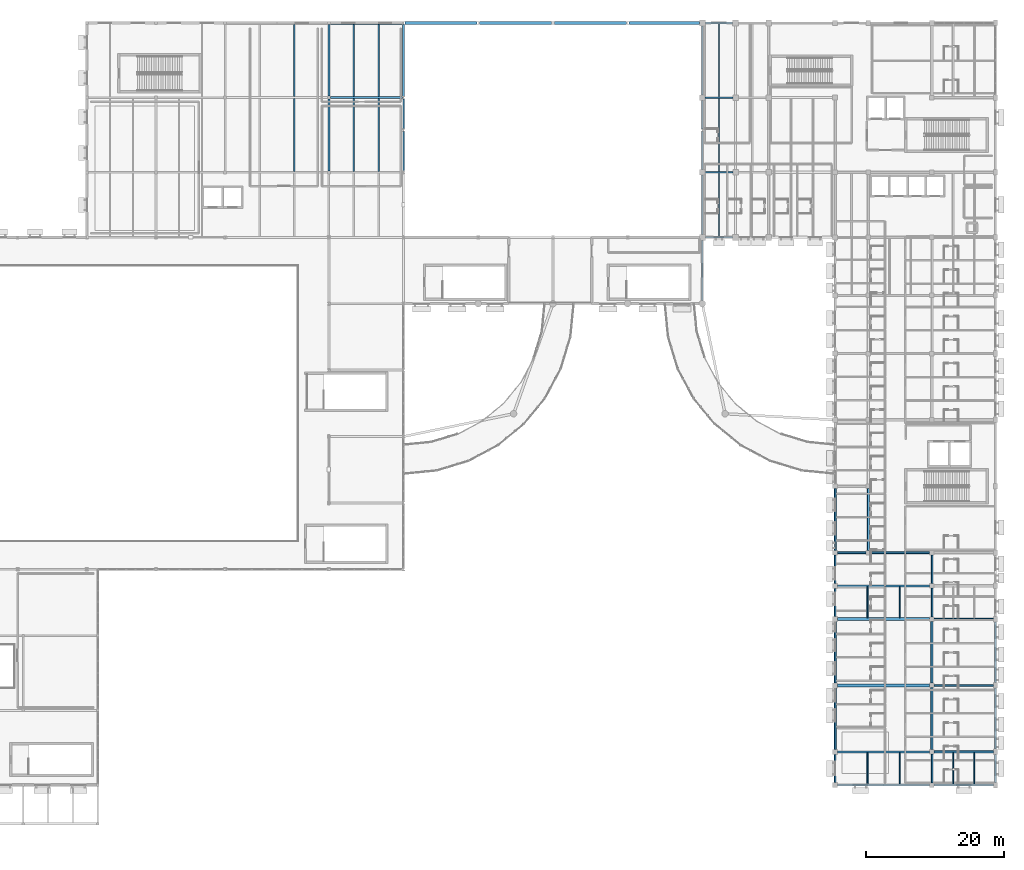
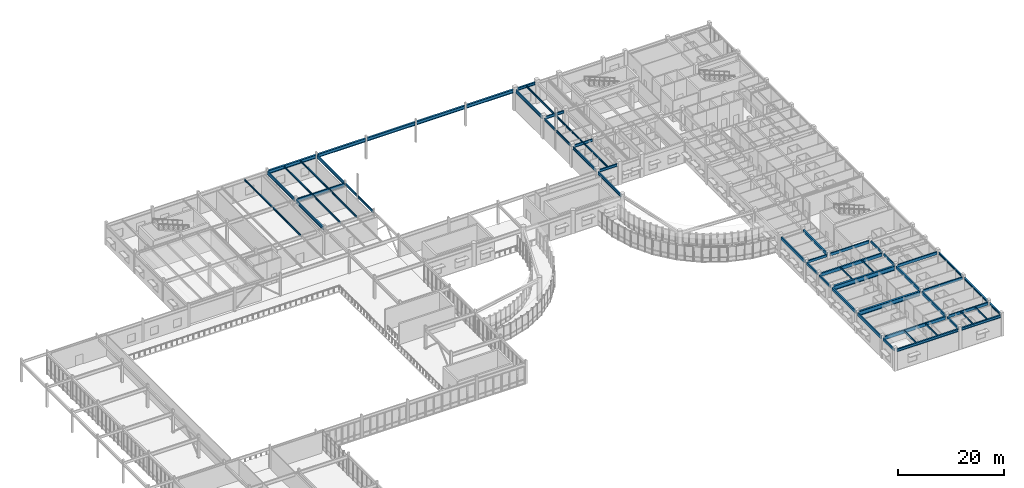
# One storey, part 28 of 68: 61 beams.
"""IFC4 building model written with IfcOpenShell, lengths in metres."""

from ifc_helpers import new_model, si_unit, direction, frame, origin, origin_2d, place, context, subcontext, project, spatial, rectangle, i_section, extrude, material, material_profile, profile_set, type_object, element, save


model = new_model("IFC4")

# Units and contexts
model_context = context("Model", 3, precision=1e-05, world=origin(), true_north=direction((0.0, 1.0)))
body_context = subcontext(model_context, "Body", "Model", "MODEL_VIEW")
ifc_project = project(units=[si_unit("LENGTHUNIT", "METRE"), si_unit("AREAUNIT", "SQUARE_METRE"), si_unit("VOLUMEUNIT", "CUBIC_METRE"), si_unit("PLANEANGLEUNIT", "RADIAN"), si_unit("MASSUNIT", "GRAM", prefix="KILO")], contexts=[model_context])

# Site, building, storey
site_placement = place(None, origin())
site = spatial("IfcSite", under=ifc_project, at=site_placement, CompositionType="ELEMENT")
building_placement = place(site_placement, origin())
building = spatial("IfcBuilding", under=site, at=building_placement, Name="Veldera Park Congress Hotel", CompositionType="ELEMENT")
storey_placement = place(building_placement, frame((0.0, 0.0, 10.800048828125)))
storey = spatial("IfcBuildingStorey", under=building, at=storey_placement, Name="L02", CompositionType="ELEMENT", Elevation=10.800048828125)

# Beams
ifc_material_1 = material(Name="Glulam GL28h (NDS 24F-V4)", Category="wood")
ifc_material_profile_1 = material_profile(ifc_material_1, rectangle(XDim=0.239990234375, YDim=0.5400390625, at=origin_2d()), Name="GL28h 240x540")
ifc_profile_set_1 = profile_set([ifc_material_profile_1], Name="Glulam GL28h (NDS 24F-V4)")
beam_type_1 = type_object("IfcBeamType", Name="BM-GL540", PredefinedType="BEAM", material=ifc_profile_set_1)
beam_1_placement = place(storey_placement, frame((61.14990234375, -18.60009765625, 4.530029296875), z_axis=(1.0, 0.0, 0.0), x_axis=(0.0, 1.0, 0.0)))
element("IfcBeam", 1, at=beam_1_placement, inside=storey, type_object=beam_type_1, Name="L02 Girder BM-GL540 846", PredefinedType="BEAM", context=body_context, shape_type="SweptSolid", body=[
    extrude(rectangle(XDim=0.239990234375, YDim=0.5400390625, at=origin_2d()), origin(), (0.0, 0.0, 1.0), 4.125),
])
for number, where, z_axis, x_axis, name in (
    (2, (60.800048828125, -51.85009765625, 4.530029296875), (0.0, 1.0, 0.0), (-1.0, 0.0, 0.0), "L02 Girder BM-GL540 987"),
    (3, (60.800048828125, -27.85009765625, 4.530029296875), (0.0, 1.0, 0.0), (-1.0, 0.0, 0.0), "L02 Girder BM-GL540 990"),
    (4, (60.800048828125, -23.050048828125, 4.530029296875), (0.0, 1.0, 0.0), (-1.0, 0.0, 0.0), "L02 Girder BM-GL540 991"),
):
    element("IfcBeam", number, at=place(storey_placement, frame(where, z_axis=z_axis, x_axis=x_axis)), inside=storey, type_object=beam_type_1, Name=name, PredefinedType="BEAM", context=body_context, shape_type="SweptSolid", body=[
        extrude(rectangle(XDim=0.239990234375, YDim=0.5400390625, at=origin_2d()), origin(), (0.0, 0.0, 1.0), 4.10009765625),
    ])
for number, where, z_axis, x_axis, name in (
    (5, (74.800048828125, -51.875, 4.530029296875), (0.0, 1.0, 0.0), (-1.0, 0.0, 0.0), "L02 Girder BM-GL540 1005"),
    (6, (74.800048828125, -27.875, 4.530029296875), (0.0, 1.0, 0.0), (-1.0, 0.0, 0.0), "L02 Girder BM-GL540 1008"),
    (7, (74.800048828125, -23.074951171875, 4.530029296875), (0.0, 1.0, 0.0), (-1.0, 0.0, 0.0), "L02 Girder BM-GL540 1009"),
):
    element("IfcBeam", number, at=place(storey_placement, frame(where, z_axis=z_axis, x_axis=x_axis)), inside=storey, type_object=beam_type_1, Name=name, PredefinedType="BEAM", context=body_context, shape_type="SweptSolid", body=[
        extrude(rectangle(XDim=0.239990234375, YDim=0.5400390625, at=origin_2d()), origin(), (0.0, 0.0, 1.0), 4.14990234375),
    ])
ifc_material_profile_2 = material_profile(ifc_material_1, rectangle(XDim=0.264892578125, YDim=0.6201171875, at=origin_2d()), Name="GL28h 265x620")
ifc_profile_set_2 = profile_set([ifc_material_profile_2], Name="Glulam GL28h (NDS 24F-V4)")
beam_type_2 = type_object("IfcBeamType", Name="BM-GL620", PredefinedType="BEAM", material=ifc_profile_set_2)
for number, where, z_axis, x_axis, name in (
    (8, (75.125, -47.39990234375, 4.489990234375), (1.0, 0.0, 0.0), (0.0, 1.0, 0.0), "L02 Girder BM-GL620 827"),
    (9, (75.125, -37.800048828125, 4.489990234375), (1.0, 0.0, 0.0), (0.0, 1.0, 0.0), "L02 Girder BM-GL620 831"),
    (10, (75.125, -28.199951171875, 4.489990234375), (1.0, 0.0, 0.0), (0.0, 1.0, 0.0), "L02 Girder BM-GL620 835"),
):
    element("IfcBeam", number, at=place(storey_placement, frame(where, z_axis=z_axis, x_axis=x_axis)), inside=storey, type_object=beam_type_2, Name=name, PredefinedType="BEAM", context=body_context, shape_type="SweptSolid", body=[
        extrude(rectangle(XDim=0.264892578125, YDim=0.6201171875, at=origin_2d()), origin(), (0.0, 0.0, 1.0), 8.60009765625),
    ])
beam_2_placement = place(storey_placement, frame((65.925048828125, -18.60009765625, 4.489990234375), z_axis=(1.0, 0.0, 0.0), x_axis=(0.0, 1.0, 0.0)))
element("IfcBeam", 11, at=beam_2_placement, inside=storey, type_object=beam_type_2, Name="L02 Girder BM-GL620 847", PredefinedType="BEAM", context=body_context, shape_type="SweptSolid", body=[
    extrude(rectangle(XDim=0.264892578125, YDim=0.6201171875, at=origin_2d()), origin(), (0.0, 0.0, 1.0), 8.550048828125),
])
ifc_material_profile_3 = material_profile(ifc_material_1, rectangle(XDim=0.280029296875, YDim=0.639892578125, at=origin_2d()), Name="GL28h 280x640")
ifc_profile_set_3 = profile_set([ifc_material_profile_3], Name="Glulam GL28h (NDS 24F-V4)")
beam_type_3 = type_object("IfcBeamType", Name="BM-GL640", PredefinedType="BEAM", material=ifc_profile_set_3)
beam_3_placement = place(storey_placement, frame((60.800048828125, -47.050048828125, 4.47998046875), z_axis=(0.0, 1.0, 0.0), x_axis=(-1.0, 0.0, 0.0)))
element("IfcBeam", 12, at=beam_3_placement, inside=storey, type_object=beam_type_3, Name="L02 Girder BM-GL640 988", PredefinedType="BEAM", context=body_context, shape_type="SweptSolid", body=[
    extrude(rectangle(XDim=0.280029296875, YDim=0.639892578125, at=origin_2d()), origin(), (0.0, 0.0, 1.0), 8.900146484375),
])
for number, where, z_axis, x_axis, name in (
    (13, (60.800048828125, -37.449951171875, 4.47998046875), (0.0, 1.0, 0.0), (-1.0, 0.0, 0.0), "L02 Girder BM-GL640 989"),
    (14, (60.800048828125, -18.25, 4.47998046875), (0.0, 1.0, 0.0), (-1.0, 0.0, 0.0), "L02 Girder BM-GL640 992"),
):
    element("IfcBeam", number, at=place(storey_placement, frame(where, z_axis=z_axis, x_axis=x_axis)), inside=storey, type_object=beam_type_3, Name=name, PredefinedType="BEAM", context=body_context, shape_type="SweptSolid", body=[
        extrude(rectangle(XDim=0.280029296875, YDim=0.639892578125, at=origin_2d()), origin(), (0.0, 0.0, 1.0), 8.89990234375),
    ])
for number, where, z_axis, x_axis, name in (
    (15, (65.60009765625, -18.27490234375, 4.47998046875), (0.0, 1.0, 0.0), (-1.0, 0.0, 0.0), "L02 Girder BM-GL640 999"),
    (16, (74.800048828125, -47.074951171875, 4.47998046875), (0.0, 1.0, 0.0), (-1.0, 0.0, 0.0), "L02 Girder BM-GL640 1006"),
):
    element("IfcBeam", number, at=place(storey_placement, frame(where, z_axis=z_axis, x_axis=x_axis)), inside=storey, type_object=beam_type_3, Name=name, PredefinedType="BEAM", context=body_context, shape_type="SweptSolid", body=[
        extrude(rectangle(XDim=0.280029296875, YDim=0.639892578125, at=origin_2d()), origin(), (0.0, 0.0, 1.0), 8.949951171875),
    ])
beam_4_placement = place(storey_placement, frame((74.800048828125, -37.47509765625, 4.47998046875), z_axis=(0.0, 1.0, 0.0), x_axis=(-1.0, 0.0, 0.0)))
element("IfcBeam", 17, at=beam_4_placement, inside=storey, type_object=beam_type_3, Name="L02 Girder BM-GL640 1007", PredefinedType="BEAM", context=body_context, shape_type="SweptSolid", body=[
    extrude(rectangle(XDim=0.280029296875, YDim=0.639892578125, at=origin_2d()), origin(), (0.0, 0.0, 1.0), 8.9501953125),
])
ifc_material_profile_4 = material_profile(ifc_material_1, rectangle(XDim=0.31494140625, YDim=0.719970703125, at=origin_2d()), Name="GL28h 315x720")
ifc_profile_set_4 = profile_set([ifc_material_profile_4], Name="Glulam GL28h (NDS 24F-V4)")
beam_type_4 = type_object("IfcBeamType", Name="BM-GL720", PredefinedType="BEAM", material=ifc_profile_set_4)
for number, where, z_axis, x_axis, name in (
    (18, (61.14990234375, -47.39990234375, 4.43994140625), (1.0, 0.0, 0.0), (0.0, 1.0, 0.0), "L02 Girder BM-GL720 826"),
    (19, (61.14990234375, -23.39990234375, 4.43994140625), (1.0, 0.0, 0.0), (0.0, 1.0, 0.0), "L02 Girder BM-GL720 836"),
):
    element("IfcBeam", number, at=place(storey_placement, frame(where, z_axis=z_axis, x_axis=x_axis)), inside=storey, type_object=beam_type_4, Name=name, PredefinedType="BEAM", context=body_context, shape_type="SweptSolid", body=[
        extrude(rectangle(XDim=0.31494140625, YDim=0.719970703125, at=origin_2d()), origin(), (0.0, 0.0, 1.0), 13.3251953125),
    ])
ifc_material_2 = material(Name="Steel ASTM A992 Gr.50", Category="steel")
ifc_material_profile_5 = material_profile(ifc_material_2, i_section(OverallWidth=0.404052734375, OverallDepth=1.02001953125, WebThickness=0.025390625, FlangeThickness=0.04443359375, at=origin_2d()), Name="W40X324")
ifc_profile_set_5 = profile_set([ifc_material_profile_5], Name="Steel ASTM A992 Gr.50")
beam_type_5 = type_object("IfcBeamType", Name="BM-TR324", PredefinedType="BEAM", material=ifc_profile_set_5)
for number, where, z_axis, x_axis, name in (
    (20, (61.14990234375, -37.800048828125, 4.2900390625), (1.0, 0.0, 0.0), (0.0, 1.0, 0.0), "Hotel Podium Transfer Girder TG-01"),
    (21, (61.14990234375, -28.199951171875, 4.2900390625), (1.0, 0.0, 0.0), (0.0, 1.0, 0.0), "Hotel Podium Transfer Girder TG-02"),
):
    element("IfcBeam", number, at=place(storey_placement, frame(where, z_axis=z_axis, x_axis=x_axis)), inside=storey, type_object=beam_type_5, Name=name, PredefinedType="BEAM", context=body_context, shape_type="SweptSolid", body=[
        extrude(i_section(OverallWidth=0.404052734375, OverallDepth=1.02001953125, WebThickness=0.025390625, FlangeThickness=0.04443359375, at=origin_2d()), origin(), (0.0, 0.0, 1.0), 13.3251953125),
    ])
ifc_material_profile_6 = material_profile(ifc_material_2, i_section(OverallWidth=0.2119140625, OverallDepth=0.5439453125, WebThickness=0.01318359375, FlangeThickness=0.021240234375, at=origin_2d()), Name="W21X83")
ifc_profile_set_6 = profile_set([ifc_material_profile_6], Name="Steel ASTM A992 Gr.50")
beam_type_6 = type_object("IfcBeamType", Name="BM-W21C", PredefinedType="BEAM", material=ifc_profile_set_6)
beam_5_placement = place(storey_placement, frame((-1.60009765625, 36.5859375, 4.52783203125), z_axis=(0.0, 1.0, 0.0), x_axis=(-1.0, 0.0, 0.0)))
element("IfcBeam", 22, at=beam_5_placement, inside=storey, type_object=beam_type_6, Name="L02 Girder BM-W21C 972", PredefinedType="BEAM", context=body_context, shape_type="SweptSolid", body=[
    extrude(i_section(OverallWidth=0.2119140625, OverallDepth=0.5439453125, WebThickness=0.01318359375, FlangeThickness=0.021240234375, at=origin_2d()), origin(), (0.0, 0.0, 1.0), 5.72802734375),
])
beam_6_placement = place(storey_placement, frame((-1.60009765625, 42.68603515625, 4.52783203125), z_axis=(0.0, 1.0, 0.0), x_axis=(-1.0, 0.0, 0.0)))
element("IfcBeam", 23, at=beam_6_placement, inside=storey, type_object=beam_type_6, Name="L02 Girder BM-W21C 973", PredefinedType="BEAM", context=body_context, shape_type="SweptSolid", body=[
    extrude(i_section(OverallWidth=0.2119140625, OverallDepth=0.5439453125, WebThickness=0.01318359375, FlangeThickness=0.021240234375, at=origin_2d()), origin(), (0.0, 0.0, 1.0), 4.327880859375),
])
beam_7_placement = place(storey_placement, frame((41.60009765625, 36.800048828125, 4.52783203125), z_axis=(0.0, 1.0, 0.0), x_axis=(-1.0, 0.0, 0.0)))
element("IfcBeam", 24, at=beam_7_placement, inside=storey, type_object=beam_type_6, Name="L02 Girder BM-W21C 978", PredefinedType="BEAM", context=body_context, shape_type="SweptSolid", body=[
    extrude(i_section(OverallWidth=0.2119140625, OverallDepth=0.5439453125, WebThickness=0.01318359375, FlangeThickness=0.021240234375, at=origin_2d()), origin(), (0.0, 0.0, 1.0), 5.513916015625),
])
beam_8_placement = place(storey_placement, frame((41.60009765625, 42.68603515625, 4.52783203125), z_axis=(0.0, 1.0, 0.0), x_axis=(-1.0, 0.0, 0.0)))
element("IfcBeam", 25, at=beam_8_placement, inside=storey, type_object=beam_type_6, Name="L02 Girder BM-W21C 979", PredefinedType="BEAM", context=body_context, shape_type="SweptSolid", body=[
    extrude(i_section(OverallWidth=0.2119140625, OverallDepth=0.5439453125, WebThickness=0.01318359375, FlangeThickness=0.021240234375, at=origin_2d()), origin(), (0.0, 0.0, 1.0), 4.114013671875),
])
ifc_material_profile_7 = material_profile(ifc_material_2, i_section(OverallWidth=0.22900390625, OverallDepth=0.612060546875, WebThickness=0.011962890625, FlangeThickness=0.01953125, at=origin_2d()), Name="W24X84")
ifc_profile_set_7 = profile_set([ifc_material_profile_7], Name="Steel ASTM A992 Gr.50")
beam_type_7 = type_object("IfcBeamType", Name="BM-W24", PredefinedType="BEAM", material=ifc_profile_set_7)
beam_9_placement = place(storey_placement, frame((42.02490234375, 27.0, 4.493896484375), z_axis=(1.0, 0.0, 0.0), x_axis=(0.0, 1.0, 0.0)))
element("IfcBeam", 26, at=beam_9_placement, inside=storey, type_object=beam_type_7, Name="L02 Girder BM-W24 887", PredefinedType="BEAM", context=body_context, shape_type="SweptSolid", body=[
    extrude(i_section(OverallWidth=0.22900390625, OverallDepth=0.612060546875, WebThickness=0.011962890625, FlangeThickness=0.01953125, at=origin_2d()), origin(), (0.0, 0.0, 1.0), 3.9501953125),
])
for number, where, z_axis, x_axis, name in (
    (27, (42.0, 36.39990234375, 4.493896484375), (1.0, 0.0, 0.0), (0.0, 1.0, 0.0), "L02 Girder BM-W24 897"),
    (28, (42.0, 47.199951171875, 4.493896484375), (1.0, 0.0, 0.0), (0.0, 1.0, 0.0), "L02 Girder BM-W24 907"),
):
    element("IfcBeam", number, at=place(storey_placement, frame(where, z_axis=z_axis, x_axis=x_axis)), inside=storey, type_object=beam_type_7, Name=name, PredefinedType="BEAM", context=body_context, shape_type="SweptSolid", body=[
        extrude(i_section(OverallWidth=0.22900390625, OverallDepth=0.612060546875, WebThickness=0.011962890625, FlangeThickness=0.01953125, at=origin_2d()), origin(), (0.0, 0.0, 1.0), 4.0),
    ])
ifc_material_profile_8 = material_profile(ifc_material_2, i_section(OverallWidth=0.22998046875, OverallDepth=0.616943359375, WebThickness=0.01318359375, FlangeThickness=0.022216796875, at=origin_2d()), Name="W24X94")
ifc_profile_set_8 = profile_set([ifc_material_profile_8], Name="Steel ASTM A992 Gr.50")
beam_type_8 = type_object("IfcBeamType", Name="BM-W24B", PredefinedType="BEAM", material=ifc_profile_set_8)
beam_10_placement = place(storey_placement, frame((41.60009765625, 27.425048828125, 4.491455078125), z_axis=(0.0, 1.0, 0.0), x_axis=(-1.0, 0.0, 0.0)))
element("IfcBeam", 29, at=beam_10_placement, inside=storey, type_object=beam_type_8, Name="L02 Girder BM-W24B 977", PredefinedType="BEAM", context=body_context, shape_type="SweptSolid", body=[
    extrude(i_section(OverallWidth=0.22998046875, OverallDepth=0.616943359375, WebThickness=0.01318359375, FlangeThickness=0.022216796875, at=origin_2d()), origin(), (0.0, 0.0, 1.0), 8.574951171875),
])
ifc_material_profile_9 = material_profile(ifc_material_2, i_section(OverallWidth=0.323974609375, OverallDepth=0.612060546875, WebThickness=0.0126953125, FlangeThickness=0.01904296875, at=origin_2d()), Name="W24X104")
ifc_profile_set_9 = profile_set([ifc_material_profile_9], Name="Steel ASTM A992 Gr.50")
beam_type_9 = type_object("IfcBeamType", Name="BM-W24E", PredefinedType="BEAM", material=ifc_profile_set_9)
beam_11_placement = place(storey_placement, frame((42.02490234375, 58.0, 4.493896484375), z_axis=(1.0, 0.0, 0.0), x_axis=(0.0, 1.0, 0.0)))
element("IfcBeam", 30, at=beam_11_placement, inside=storey, type_object=beam_type_9, Name="L02 Girder BM-W24E 919", PredefinedType="BEAM", context=body_context, shape_type="SweptSolid", body=[
    extrude(i_section(OverallWidth=0.323974609375, OverallDepth=0.612060546875, WebThickness=0.0126953125, FlangeThickness=0.01904296875, at=origin_2d()), origin(), (0.0, 0.0, 1.0), 3.9501953125),
])
ifc_material_profile_10 = material_profile(ifc_material_2, i_section(OverallWidth=0.256103515625, OverallDepth=0.693115234375, WebThickness=0.014404296875, FlangeThickness=0.023681640625, at=origin_2d()), Name="W27X114")
ifc_profile_set_10 = profile_set([ifc_material_profile_10], Name="Steel ASTM A992 Gr.50")
beam_type_10 = type_object("IfcBeamType", Name="BM-W27", PredefinedType="BEAM", material=ifc_profile_set_10)
beam_12_placement = place(storey_placement, frame((-12.39990234375, 36.625, 4.453369140625), z_axis=(0.0, 1.0, 0.0), x_axis=(-1.0, 0.0, 0.0)))
element("IfcBeam", 31, at=beam_12_placement, inside=storey, type_object=beam_type_10, Name="L02 Girder BM-W27 964", PredefinedType="BEAM", context=body_context, shape_type="SweptSolid", body=[
    extrude(i_section(OverallWidth=0.256103515625, OverallDepth=0.693115234375, WebThickness=0.014404296875, FlangeThickness=0.023681640625, at=origin_2d()), origin(), (0.0, 0.0, 1.0), 10.35009765625),
])
beam_13_placement = place(storey_placement, frame((-12.39990234375, 47.425048828125, 4.453369140625), z_axis=(0.0, 1.0, 0.0), x_axis=(-1.0, 0.0, 0.0)))
element("IfcBeam", 32, at=beam_13_placement, inside=storey, type_object=beam_type_10, Name="L02 Girder BM-W27 965", PredefinedType="BEAM", context=body_context, shape_type="SweptSolid", body=[
    extrude(i_section(OverallWidth=0.256103515625, OverallDepth=0.693115234375, WebThickness=0.014404296875, FlangeThickness=0.023681640625, at=origin_2d()), origin(), (0.0, 0.0, 1.0), 10.349853515625),
])
beam_14_placement = place(storey_placement, frame((-1.60009765625, 47.385986328125, 4.453369140625), z_axis=(0.0, 1.0, 0.0), x_axis=(-1.0, 0.0, 0.0)))
element("IfcBeam", 33, at=beam_14_placement, inside=storey, type_object=beam_type_10, Name="L02 Girder BM-W27 974", PredefinedType="BEAM", context=body_context, shape_type="SweptSolid", body=[
    extrude(i_section(OverallWidth=0.256103515625, OverallDepth=0.693115234375, WebThickness=0.014404296875, FlangeThickness=0.023681640625, at=origin_2d()), origin(), (0.0, 0.0, 1.0), 10.41748046875),
])
beam_15_placement = place(storey_placement, frame((41.60009765625, 17.875, 4.453369140625), z_axis=(0.0, 1.0, 0.0), x_axis=(-1.0, 0.0, 0.0)))
element("IfcBeam", 34, at=beam_15_placement, inside=storey, type_object=beam_type_10, Name="L02 Girder BM-W27 976", PredefinedType="BEAM", context=body_context, shape_type="SweptSolid", body=[
    extrude(i_section(OverallWidth=0.256103515625, OverallDepth=0.693115234375, WebThickness=0.014404296875, FlangeThickness=0.023681640625, at=origin_2d()), origin(), (0.0, 0.0, 1.0), 8.699951171875),
])
beam_16_placement = place(storey_placement, frame((41.60009765625, 47.60009765625, 4.453369140625), z_axis=(0.0, 1.0, 0.0), x_axis=(-1.0, 0.0, 0.0)))
element("IfcBeam", 35, at=beam_16_placement, inside=storey, type_object=beam_type_10, Name="L02 Girder BM-W27 980", PredefinedType="BEAM", context=body_context, shape_type="SweptSolid", body=[
    extrude(i_section(OverallWidth=0.256103515625, OverallDepth=0.693115234375, WebThickness=0.014404296875, FlangeThickness=0.023681640625, at=origin_2d()), origin(), (0.0, 0.0, 1.0), 9.974853515625),
])
ifc_material_profile_11 = material_profile(ifc_material_2, i_section(OverallWidth=0.26708984375, OverallDepth=0.779052734375, WebThickness=0.0166015625, FlangeThickness=0.030029296875, at=origin_2d()), Name="W30X148")
ifc_profile_set_11 = profile_set([ifc_material_profile_11], Name="Steel ASTM A992 Gr.50")
beam_type_11 = type_object("IfcBeamType", Name="BM-W30", PredefinedType="BEAM", material=ifc_profile_set_11)
beam_17_placement = place(storey_placement, frame((-12.175048828125, 47.199951171875, 4.410400390625), z_axis=(1.0, 0.0, 0.0), x_axis=(0.0, 1.0, 0.0)))
element("IfcBeam", 36, at=beam_17_placement, inside=storey, type_object=beam_type_11, Name="L02 Girder BM-W30 906", PredefinedType="BEAM", context=body_context, shape_type="SweptSolid", body=[
    extrude(i_section(OverallWidth=0.26708984375, OverallDepth=0.779052734375, WebThickness=0.0166015625, FlangeThickness=0.030029296875, at=origin_2d()), origin(), (0.0, 0.0, 1.0), 10.387939453125),
])
ifc_material_profile_12 = material_profile(ifc_material_2, i_section(OverallWidth=0.382080078125, OverallDepth=0.779052734375, WebThickness=0.01806640625, FlangeThickness=0.030029296875, at=origin_2d()), Name="W30X191")
ifc_profile_set_12 = profile_set([ifc_material_profile_12], Name="Steel ASTM A992 Gr.50")
beam_type_12 = type_object("IfcBeamType", Name="BM-W30E", PredefinedType="BEAM", material=ifc_profile_set_12)
beam_18_placement = place(storey_placement, frame((-12.175048828125, 58.0, 4.410400390625), z_axis=(1.0, 0.0, 0.0), x_axis=(0.0, 1.0, 0.0)))
element("IfcBeam", 37, at=beam_18_placement, inside=storey, type_object=beam_type_12, Name="L02 Girder BM-W30E 914", PredefinedType="BEAM", context=body_context, shape_type="SweptSolid", body=[
    extrude(i_section(OverallWidth=0.382080078125, OverallDepth=0.779052734375, WebThickness=0.01806640625, FlangeThickness=0.030029296875, at=origin_2d()), origin(), (0.0, 0.0, 1.0), 10.37548828125),
])
beam_19_placement = place(storey_placement, frame((-1.400390625, 58.0, 4.410400390625), z_axis=(1.0, 0.0, 0.0), x_axis=(0.0, 1.0, 0.0)))
element("IfcBeam", 38, at=beam_19_placement, inside=storey, type_object=beam_type_12, Name="L02 Girder BM-W30E 915", PredefinedType="BEAM", context=body_context, shape_type="SweptSolid", body=[
    extrude(i_section(OverallWidth=0.382080078125, OverallDepth=0.779052734375, WebThickness=0.01806640625, FlangeThickness=0.030029296875, at=origin_2d()), origin(), (0.0, 0.0, 1.0), 10.40087890625),
])
for number, where, z_axis, x_axis, name in (
    (39, (9.3994140625, 58.0, 4.410400390625), (1.0, 0.0, 0.0), (0.0, 1.0, 0.0), "L02 Girder BM-W30E 916"),
    (40, (20.199462890625, 58.0, 4.410400390625), (1.0, 0.0, 0.0), (0.0, 1.0, 0.0), "L02 Girder BM-W30E 917"),
):
    element("IfcBeam", number, at=place(storey_placement, frame(where, z_axis=z_axis, x_axis=x_axis)), inside=storey, type_object=beam_type_12, Name=name, PredefinedType="BEAM", context=body_context, shape_type="SweptSolid", body=[
        extrude(i_section(OverallWidth=0.382080078125, OverallDepth=0.779052734375, WebThickness=0.01806640625, FlangeThickness=0.030029296875, at=origin_2d()), origin(), (0.0, 0.0, 1.0), 10.401123046875),
    ])
beam_20_placement = place(storey_placement, frame((30.99951171875, 58.0, 4.410400390625), z_axis=(1.0, 0.0, 0.0), x_axis=(0.0, 1.0, 0.0)))
element("IfcBeam", 41, at=beam_20_placement, inside=storey, type_object=beam_type_12, Name="L02 Girder BM-W30E 918", PredefinedType="BEAM", context=body_context, shape_type="SweptSolid", body=[
    extrude(i_section(OverallWidth=0.382080078125, OverallDepth=0.779052734375, WebThickness=0.01806640625, FlangeThickness=0.030029296875, at=origin_2d()), origin(), (0.0, 0.0, 1.0), 10.175537109375),
])
ifc_material_profile_13 = material_profile(ifc_material_1, rectangle(XDim=0.179931640625, YDim=0.360107421875, at=origin_2d()), Name="GL28h 180x360")
ifc_profile_set_13 = profile_set([ifc_material_profile_13], Name="Glulam GL28h (NDS 24F-V4)")
beam_type_13 = type_object("IfcBeamType", Name="JST-GL360", PredefinedType="JOIST", material=ifc_profile_set_13)
for number, where, z_axis, x_axis, name in (
    (42, (65.466796875, -52.0380859375, 4.619873046875), (0.0, 1.0, 0.0), (-1.0, 0.0, 0.0), "L02 Floor Joist JST-GL360 1033"),
    (43, (70.13330078125, -52.0380859375, 4.619873046875), (0.0, 1.0, 0.0), (-1.0, 0.0, 0.0), "L02 Floor Joist JST-GL360 1034"),
):
    element("IfcBeam", number, at=place(storey_placement, frame(where, z_axis=z_axis, x_axis=x_axis)), inside=storey, type_object=beam_type_13, Name=name, PredefinedType="JOIST", context=body_context, shape_type="SweptSolid", body=[
        extrude(rectangle(XDim=0.179931640625, YDim=0.360107421875, at=origin_2d()), origin(), (0.0, 0.0, 1.0), 4.48046875),
    ])
for number, where, z_axis, x_axis, name in (
    (44, (77.86669921875, -52.0380859375, 4.619873046875), (0.0, 1.0, 0.0), (-1.0, 0.0, 0.0), "L02 Floor Joist JST-GL360 1035"),
    (45, (80.933349609375, -52.0380859375, 4.619873046875), (0.0, 1.0, 0.0), (-1.0, 0.0, 0.0), "L02 Floor Joist JST-GL360 1036"),
):
    element("IfcBeam", number, at=place(storey_placement, frame(where, z_axis=z_axis, x_axis=x_axis)), inside=storey, type_object=beam_type_13, Name=name, PredefinedType="JOIST", context=body_context, shape_type="SweptSolid", body=[
        extrude(rectangle(XDim=0.179931640625, YDim=0.360107421875, at=origin_2d()), origin(), (0.0, 0.0, 1.0), 4.505615234375),
    ])
for number, where, z_axis, x_axis, name in (
    (46, (65.466796875, -27.998046875, 4.619873046875), (0.0, 1.0, 0.0), (-1.0, 0.0, 0.0), "L02 Floor Joist JST-GL360 1037"),
    (47, (70.13330078125, -27.998046875, 4.619873046875), (0.0, 1.0, 0.0), (-1.0, 0.0, 0.0), "L02 Floor Joist JST-GL360 1038"),
):
    element("IfcBeam", number, at=place(storey_placement, frame(where, z_axis=z_axis, x_axis=x_axis)), inside=storey, type_object=beam_type_13, Name=name, PredefinedType="JOIST", context=body_context, shape_type="SweptSolid", body=[
        extrude(rectangle(XDim=0.179931640625, YDim=0.360107421875, at=origin_2d()), origin(), (0.0, 0.0, 1.0), 4.4404296875),
    ])
ifc_material_profile_14 = material_profile(ifc_material_2, i_section(OverallWidth=0.178955078125, OverallDepth=0.409912109375, WebThickness=0.0087890625, FlangeThickness=0.014404296875, at=origin_2d()), Name="W16X45")
ifc_profile_set_14 = profile_set([ifc_material_profile_14], Name="Steel ASTM A992 Gr.50")
beam_type_14 = type_object("IfcBeamType", Name="JST-W16", PredefinedType="JOIST", material=ifc_profile_set_14)
beam_21_placement = place(storey_placement, frame((44.0, 27.114501953125, 4.594970703125), z_axis=(0.0, 1.0, 0.0), x_axis=(-1.0, 0.0, 0.0)))
element("IfcBeam", 48, at=beam_21_placement, inside=storey, type_object=beam_type_14, Name="L02 Floor Joist JST-W16 1054", PredefinedType="JOIST", context=body_context, shape_type="SweptSolid", body=[
    extrude(i_section(OverallWidth=0.178955078125, OverallDepth=0.409912109375, WebThickness=0.0087890625, FlangeThickness=0.014404296875, at=origin_2d()), origin(), (0.0, 0.0, 1.0), 9.1708984375),
])
ifc_material_profile_15 = material_profile(ifc_material_2, i_section(OverallWidth=0.180908203125, OverallDepth=0.4169921875, WebThickness=0.010986328125, FlangeThickness=0.018310546875, at=origin_2d()), Name="W16X57")
ifc_profile_set_15 = profile_set([ifc_material_profile_15], Name="Steel ASTM A992 Gr.50")
beam_type_15 = type_object("IfcBeamType", Name="JST-W16B", PredefinedType="JOIST", material=ifc_profile_set_15)
for number, where, z_axis, x_axis, name in (
    (49, (-17.39990234375, 36.533447265625, 4.591552734375), (0.0, 1.0, 0.0), (-1.0, 0.0, 0.0), "L02 Floor Joist JST-W16B 1066"),
    (50, (-8.800048828125, 36.533447265625, 4.591552734375), (0.0, 1.0, 0.0), (-1.0, 0.0, 0.0), "L02 Floor Joist JST-W16B 1067"),
    (51, (-5.199951171875, 36.533447265625, 4.591552734375), (0.0, 1.0, 0.0), (-1.0, 0.0, 0.0), "L02 Floor Joist JST-W16B 1068"),
):
    element("IfcBeam", number, at=place(storey_placement, frame(where, z_axis=z_axis, x_axis=x_axis)), inside=storey, type_object=beam_type_15, Name=name, PredefinedType="JOIST", context=body_context, shape_type="SweptSolid", body=[
        extrude(i_section(OverallWidth=0.180908203125, OverallDepth=0.4169921875, WebThickness=0.010986328125, FlangeThickness=0.018310546875, at=origin_2d()), origin(), (0.0, 0.0, 1.0), 10.532958984375),
    ])
beam_22_placement = place(storey_placement, frame((44.0, 36.514404296875, 4.591552734375), z_axis=(0.0, 1.0, 0.0), x_axis=(-1.0, 0.0, 0.0)))
element("IfcBeam", 52, at=beam_22_placement, inside=storey, type_object=beam_type_15, Name="L02 Floor Joist JST-W16B 1069", PredefinedType="JOIST", context=body_context, shape_type="SweptSolid", body=[
    extrude(i_section(OverallWidth=0.180908203125, OverallDepth=0.4169921875, WebThickness=0.010986328125, FlangeThickness=0.018310546875, at=origin_2d()), origin(), (0.0, 0.0, 1.0), 10.571044921875),
])
for number, where, z_axis, x_axis, name in (
    (53, (-17.39990234375, 47.33349609375, 4.591552734375), (0.0, 1.0, 0.0), (-1.0, 0.0, 0.0), "L02 Floor Joist JST-W16B 1076"),
    (54, (-8.800048828125, 47.33349609375, 4.591552734375), (0.0, 1.0, 0.0), (-1.0, 0.0, 0.0), "L02 Floor Joist JST-W16B 1077"),
    (55, (-5.199951171875, 47.33349609375, 4.591552734375), (0.0, 1.0, 0.0), (-1.0, 0.0, 0.0), "L02 Floor Joist JST-W16B 1078"),
):
    element("IfcBeam", number, at=place(storey_placement, frame(where, z_axis=z_axis, x_axis=x_axis)), inside=storey, type_object=beam_type_15, Name=name, PredefinedType="JOIST", context=body_context, shape_type="SweptSolid", body=[
        extrude(i_section(OverallWidth=0.180908203125, OverallDepth=0.4169921875, WebThickness=0.010986328125, FlangeThickness=0.018310546875, at=origin_2d()), origin(), (0.0, 0.0, 1.0), 10.4755859375),
    ])
beam_23_placement = place(storey_placement, frame((44.0, 47.314453125, 4.591552734375), z_axis=(0.0, 1.0, 0.0), x_axis=(-1.0, 0.0, 0.0)))
element("IfcBeam", 56, at=beam_23_placement, inside=storey, type_object=beam_type_15, Name="L02 Floor Joist JST-W16B 1079", PredefinedType="JOIST", context=body_context, shape_type="SweptSolid", body=[
    extrude(i_section(OverallWidth=0.180908203125, OverallDepth=0.4169921875, WebThickness=0.010986328125, FlangeThickness=0.018310546875, at=origin_2d()), origin(), (0.0, 0.0, 1.0), 10.5234375),
])
ifc_material_profile_16 = material_profile(ifc_material_2, i_section(OverallWidth=0.280029296875, OverallDepth=0.462890625, WebThickness=0.0107421875, FlangeThickness=0.017333984375, at=origin_2d()), Name="W18X76")
ifc_profile_set_16 = profile_set([ifc_material_profile_16], Name="Steel ASTM A992 Gr.50")
beam_type_16 = type_object("IfcBeamType", Name="SPN-W18E", PredefinedType="SPANDREL", material=ifc_profile_set_16)
beam_24_placement = place(storey_placement, frame((84.0, -51.800048828125, 4.568359375), z_axis=(0.0, 1.0, 0.0), x_axis=(-1.0, 0.0, 0.0)))
element("IfcBeam", 57, at=beam_24_placement, inside=storey, type_object=beam_type_16, Name="L02 Girder SPN-W18E 1014", PredefinedType="SPANDREL", context=body_context, shape_type="SweptSolid", body=[
    extrude(i_section(OverallWidth=0.280029296875, OverallDepth=0.462890625, WebThickness=0.0107421875, FlangeThickness=0.017333984375, at=origin_2d()), origin(), (0.0, 0.0, 1.0), 4.0),
])
beam_25_placement = place(storey_placement, frame((84.0, -47.0, 4.568359375), z_axis=(0.0, 1.0, 0.0), x_axis=(-1.0, 0.0, 0.0)))
element("IfcBeam", 58, at=beam_25_placement, inside=storey, type_object=beam_type_16, Name="L02 Girder SPN-W18E 1015", PredefinedType="SPANDREL", context=body_context, shape_type="SweptSolid", body=[
    extrude(i_section(OverallWidth=0.280029296875, OverallDepth=0.462890625, WebThickness=0.0107421875, FlangeThickness=0.017333984375, at=origin_2d()), origin(), (0.0, 0.0, 1.0), 8.800048828125),
])
beam_26_placement = place(storey_placement, frame((84.0, -37.39990234375, 4.568359375), z_axis=(0.0, 1.0, 0.0), x_axis=(-1.0, 0.0, 0.0)))
element("IfcBeam", 59, at=beam_26_placement, inside=storey, type_object=beam_type_16, Name="L02 Girder SPN-W18E 1016", PredefinedType="SPANDREL", context=body_context, shape_type="SweptSolid", body=[
    extrude(i_section(OverallWidth=0.280029296875, OverallDepth=0.462890625, WebThickness=0.0107421875, FlangeThickness=0.017333984375, at=origin_2d()), origin(), (0.0, 0.0, 1.0), 8.7998046875),
])
ifc_material_profile_17 = material_profile(ifc_material_2, i_section(OverallWidth=0.323974609375, OverallDepth=0.612060546875, WebThickness=0.0126953125, FlangeThickness=0.01904296875, at=origin_2d()), Name="W24X104")
ifc_profile_set_17 = profile_set([ifc_material_profile_17], Name="Steel ASTM A992 Gr.50")
beam_type_17 = type_object("IfcBeamType", Name="SPN-W24E", PredefinedType="SPANDREL", material=ifc_profile_set_17)
beam_27_placement = place(storey_placement, frame((61.14990234375, -52.199951171875, 4.493896484375), z_axis=(1.0, 0.0, 0.0), x_axis=(0.0, 1.0, 0.0)))
element("IfcBeam", 60, at=beam_27_placement, inside=storey, type_object=beam_type_17, Name="L02 Girder SPN-W24E 824", PredefinedType="SPANDREL", context=body_context, shape_type="SweptSolid", body=[
    extrude(i_section(OverallWidth=0.323974609375, OverallDepth=0.612060546875, WebThickness=0.0126953125, FlangeThickness=0.01904296875, at=origin_2d()), origin(), (0.0, 0.0, 1.0), 13.3251953125),
])
beam_28_placement = place(storey_placement, frame((75.125, -52.199951171875, 4.493896484375), z_axis=(1.0, 0.0, 0.0), x_axis=(0.0, 1.0, 0.0)))
element("IfcBeam", 61, at=beam_28_placement, inside=storey, type_object=beam_type_17, Name="L02 Girder SPN-W24E 825", PredefinedType="SPANDREL", context=body_context, shape_type="SweptSolid", body=[
    extrude(i_section(OverallWidth=0.323974609375, OverallDepth=0.612060546875, WebThickness=0.0126953125, FlangeThickness=0.01904296875, at=origin_2d()), origin(), (0.0, 0.0, 1.0), 8.60009765625),
])

save(model, "model.ifc")
